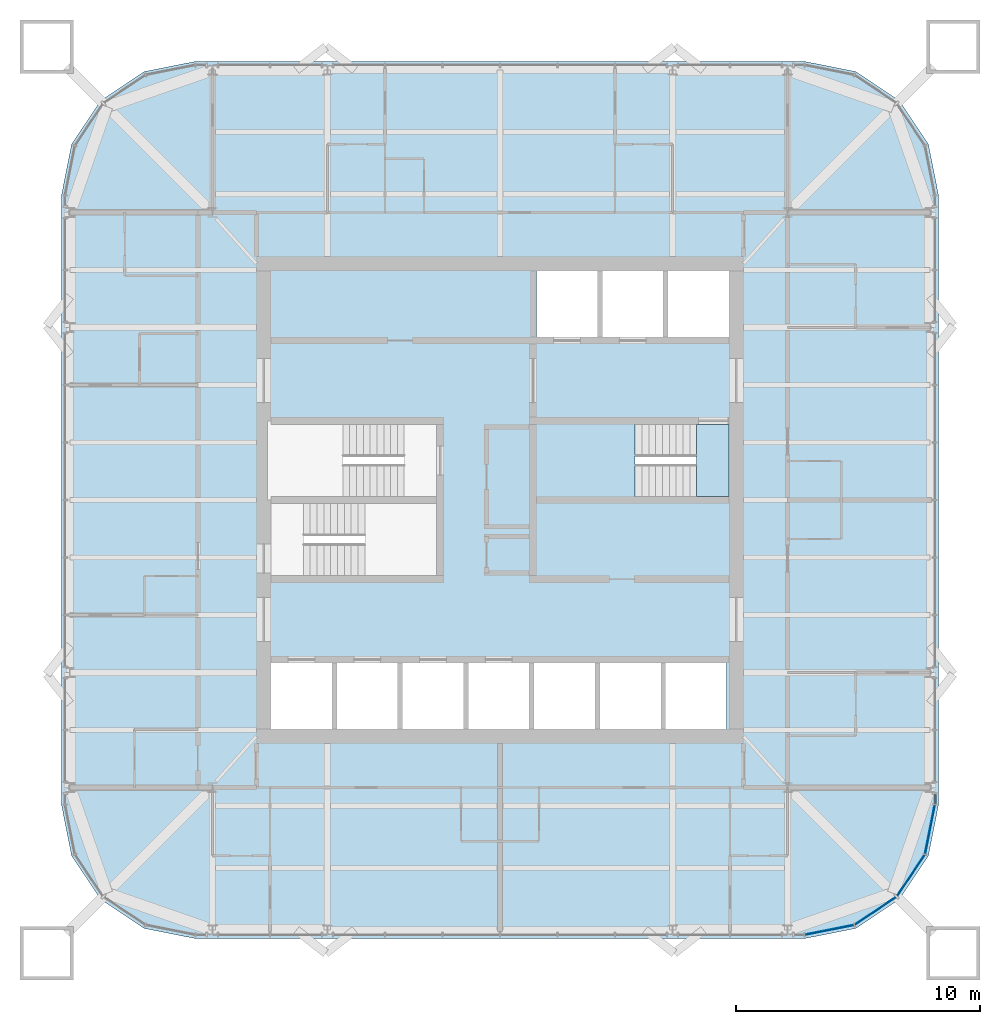
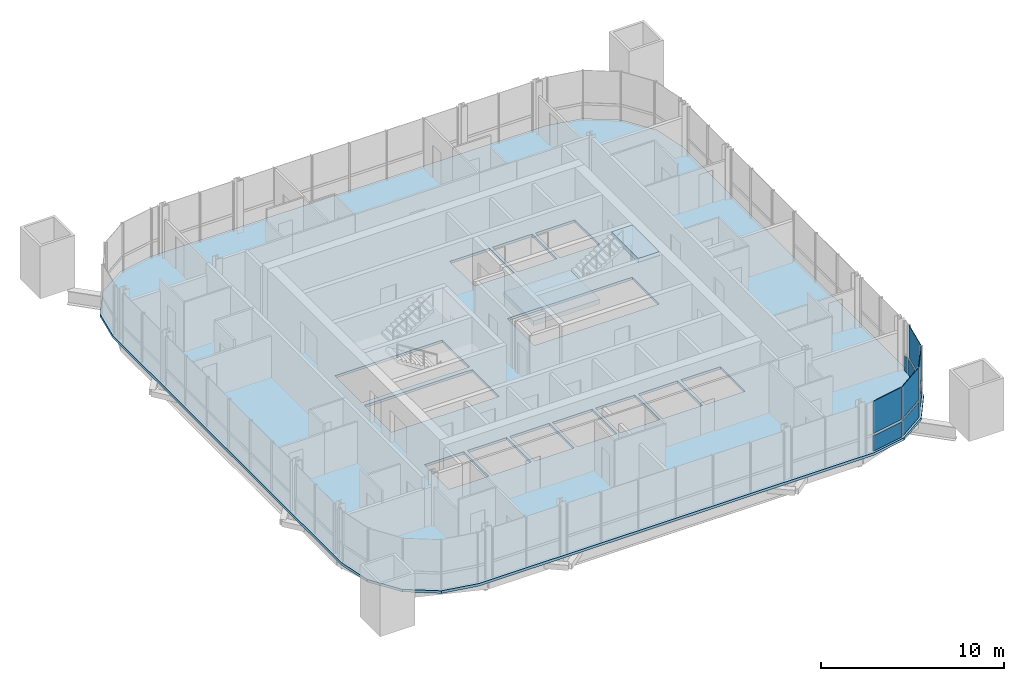
# One storey, part 10 of 17: 9 plates, 3 slabs, 3 elements without a shape of their own.
"""IFC4 building model written with IfcOpenShell, lengths in metres."""

from ifc_helpers import new_model, si_unit, direction, frame, origin, origin_2d, place, context, subcontext, project, spatial, polyline, rectangle, outline, extrude, material, layer, layer_set, type_object, element, aggregate, save


model = new_model("IFC4")

# Units and contexts
model_context = context("Model", 3, precision=1e-05, world=origin(), true_north=direction((0.0, 1.0)))
body_context = subcontext(model_context, "Body", "Model", "MODEL_VIEW")
ifc_project = project(units=[si_unit("LENGTHUNIT", "METRE"), si_unit("AREAUNIT", "SQUARE_METRE"), si_unit("VOLUMEUNIT", "CUBIC_METRE"), si_unit("PLANEANGLEUNIT", "RADIAN"), si_unit("MASSUNIT", "GRAM", prefix="KILO")], contexts=[model_context])

# Site, building, storey
site_placement = place(None, origin())
site = spatial("IfcSite", under=ifc_project, at=site_placement, CompositionType="ELEMENT")
building_placement = place(site_placement, origin())
building = spatial("IfcBuilding", under=site, at=building_placement, Name="Turquesa Mirador Hotel Tower", CompositionType="ELEMENT")
storey_placement = place(building_placement, frame((0.0, 0.0, 240.699951171875)))
storey = spatial("IfcBuildingStorey", under=building, at=storey_placement, Name="L65", CompositionType="ELEMENT", Elevation=240.699951171875)

# Slab
ifc_material_1 = material(Name="Concrete C28/35", Category="concrete")
ifc_layer_1 = layer(ifc_material_1, 0.169921875)
ifc_layer_set_1 = layer_set([ifc_layer_1], Name="COMPOSITE FLOOR SLAB 170")
slab_type_1 = type_object("IfcSlabType", Name="COMPOSITE FLOOR SLAB 170", PredefinedType="FLOOR", material=ifc_layer_set_1)
slab_1_placement = place(storey_placement, frame((0.0, 0.0, -0.169921875)))
element("IfcSlab", 1, at=slab_1_placement, inside=storey, type_object=slab_type_1, Name="Floor slab L65", PredefinedType="FLOOR", context=body_context, shape_type="SweptSolid", body=[
    extrude(outline(polyline([(67.5, 27.0), (69.604736328125, 27.418701171875), (71.38916015625, 28.61083984375), (72.581298828125, 30.395263671875), (73.0, 32.5), (73.0, 57.5), (72.581298828125, 59.604736328125), (71.38916015625, 61.38916015625), (69.604736328125, 62.581298828125), (67.5, 63.0), (42.5, 63.0), (40.395263671875, 62.581298828125), (38.61083984375, 61.38916015625), (37.418701171875, 59.604736328125), (37.0, 57.5), (37.0, 32.5), (37.418701171875, 30.395263671875), (38.61083984375, 28.61083984375), (40.395263671875, 27.418701171875), (42.5, 27.0), (67.5, 27.0)]), holes=[polyline([(56.5, 51.699951171875), (59.0, 51.699951171875), (59.0, 54.39990234375), (56.5, 54.39990234375), (56.5, 51.699951171875)]), polyline([(59.199951171875, 51.699951171875), (61.699951171875, 51.699951171875), (61.699951171875, 54.39990234375), (59.199951171875, 54.39990234375), (59.199951171875, 51.699951171875)]), polyline([(45.60009765625, 35.60009765625), (48.10009765625, 35.60009765625), (48.10009765625, 38.300048828125), (45.60009765625, 38.300048828125), (45.60009765625, 35.60009765625)]), polyline([(48.300048828125, 35.60009765625), (50.800048828125, 35.60009765625), (50.800048828125, 38.300048828125), (48.300048828125, 38.300048828125), (48.300048828125, 35.60009765625)]), polyline([(51.0, 35.60009765625), (53.5, 35.60009765625), (53.5, 38.300048828125), (51.0, 38.300048828125), (51.0, 35.60009765625)]), polyline([(53.699951171875, 35.60009765625), (56.199951171875, 35.60009765625), (56.199951171875, 38.300048828125), (53.699951171875, 38.300048828125), (53.699951171875, 35.60009765625)]), polyline([(56.39990234375, 35.60009765625), (58.89990234375, 35.60009765625), (58.89990234375, 38.300048828125), (56.39990234375, 38.300048828125), (56.39990234375, 35.60009765625)]), polyline([(59.10009765625, 35.60009765625), (61.60009765625, 35.60009765625), (61.60009765625, 38.300048828125), (59.10009765625, 38.300048828125), (59.10009765625, 35.60009765625)]), polyline([(61.800048828125, 35.60009765625), (64.300048828125, 35.60009765625), (64.300048828125, 38.300048828125), (61.800048828125, 38.300048828125), (61.800048828125, 35.60009765625)]), polyline([(45.60009765625, 45.14990234375), (52.39990234375, 45.14990234375), (52.39990234375, 48.10009765625), (45.60009765625, 48.10009765625), (45.60009765625, 45.14990234375)]), polyline([(45.60009765625, 41.89990234375), (52.39990234375, 41.89990234375), (52.39990234375, 44.85009765625), (45.60009765625, 44.85009765625), (45.60009765625, 41.89990234375)]), polyline([(56.5, 45.14990234375), (64.39990234375, 45.14990234375), (64.39990234375, 48.10009765625), (56.5, 48.10009765625), (56.5, 45.14990234375)]), polyline([(61.89990234375, 51.699951171875), (64.39990234375, 51.699951171875), (64.39990234375, 54.39990234375), (61.89990234375, 54.39990234375), (61.89990234375, 51.699951171875)])]), origin(), (0.0, 0.0, 1.0), 0.169921875),
])

# Curtain wall, plates
ifc_material_2 = material(Name="Aluminium extrusion", Category="aluminium")
curtain_wall_type = type_object("IfcCurtainWallType", Name="CW-4 SUITE FRITTED CURTAIN WALL", PredefinedType="USERDEFINED", material=ifc_material_2)
curtain_wall_1_placement = place(storey_placement, origin())
curtain_wall_1 = element("IfcCurtainWall", 2, at=curtain_wall_1_placement, inside=storey, type_object=curtain_wall_type, Name="CW-4 SUITE FRITTED CURTAIN WALL L65", ObjectType="CURTAIN WALL", PredefinedType="USERDEFINED")
ifc_material_3 = material(Name="Ceramic-printed spandrel glass on an insulated back pan", Category="glass")
ifc_layer_2 = layer(ifc_material_3, 0.050048828125)
ifc_layer_set_2 = layer_set([ifc_layer_2], Name="CW PANEL SPANDREL CERAMIC")
plate_type_1 = type_object("IfcPlateType", Name="CW PANEL SPANDREL CERAMIC", PredefinedType="CURTAIN_PANEL", material=ifc_layer_set_2)
plate_1_placement = place(storey_placement, frame((68.523681640625, 27.353515625, 0.0), z_axis=(0.0, 0.0, 1.0), x_axis=(0.980785228048, 0.195090585221, 0.0)))
plate_1 = element("IfcPlate", 3, at=plate_1_placement, type_object=plate_type_1, Name="Panel", PredefinedType="CURTAIN_PANEL", context=body_context, shape_type="SweptSolid", body=[
    extrude(rectangle(XDim=2.0224609375, YDim=0.050048828125, at=origin_2d()), origin(), (0.0, 0.0, 1.0), 1.02490234375),
])
plate_2_placement = place(storey_placement, frame((70.415283203125, 28.13720703125, 0.0), z_axis=(0.0, 0.0, 1.0), x_axis=(0.831469673284, 0.555570141754, 0.0)))
plate_2 = element("IfcPlate", 4, at=plate_2_placement, type_object=plate_type_1, Name="Panel", PredefinedType="CURTAIN_PANEL", context=body_context, shape_type="SweptSolid", body=[
    extrude(rectangle(XDim=2.0224609375, YDim=0.050048828125, at=origin_2d()), origin(), (0.0, 0.0, 1.0), 1.02490234375),
])
plate_3_placement = place(storey_placement, frame((71.86279296875, 29.584716796875, 0.0), z_axis=(0.0, 0.0, 1.0), x_axis=(0.555570141754, 0.831469673284, 0.0)))
plate_3 = element("IfcPlate", 5, at=plate_3_placement, type_object=plate_type_1, Name="Panel", PredefinedType="CURTAIN_PANEL", context=body_context, shape_type="SweptSolid", body=[
    extrude(rectangle(XDim=2.0224609375, YDim=0.050048828125, at=origin_2d()), origin(), (0.0, 0.0, 1.0), 1.02490234375),
])
plate_4_placement = place(storey_placement, frame((72.646484375, 31.476318359375, 0.0), z_axis=(0.0, 0.0, 1.0), x_axis=(0.195090585221, 0.980785228048, 0.0)))
plate_4 = element("IfcPlate", 6, at=plate_4_placement, type_object=plate_type_1, Name="Panel", PredefinedType="CURTAIN_PANEL", context=body_context, shape_type="SweptSolid", body=[
    extrude(rectangle(XDim=2.0224609375, YDim=0.050048828125, at=origin_2d()), origin(), (0.0, 0.0, 1.0), 1.02490234375),
])

# Curtain wall, plate
curtain_wall_2_placement = place(storey_placement, origin())
curtain_wall_2 = element("IfcCurtainWall", 7, at=curtain_wall_2_placement, inside=storey, type_object=curtain_wall_type, Name="CW-4 SUITE FRITTED CURTAIN WALL L65", ObjectType="CURTAIN WALL", PredefinedType="USERDEFINED")
plate_5_placement = place(storey_placement, frame((72.85009765625, 32.733154296875, 0.0), z_axis=(0.0, 0.0, 1.0), x_axis=(0.0, 1.0, 0.0)))
plate_5 = element("IfcPlate", 8, at=plate_5_placement, type_object=plate_type_1, Name="Panel", PredefinedType="CURTAIN_PANEL", context=body_context, shape_type="SweptSolid", body=[
    extrude(rectangle(XDim=0.401123046875, YDim=0.050048828125, at=origin_2d()), origin(), (0.0, 0.0, 1.0), 1.02490234375),
])
aggregate(curtain_wall_2, [plate_5])

# Plate
ifc_material_4 = material(Name="Ceramic-fritted laminated glass", Category="glass")
ifc_layer_3 = layer(ifc_material_4, 0.031982421875)
ifc_layer_set_3 = layer_set([ifc_layer_3], Name="CW PANEL VISION FRITTED")
plate_type_2 = type_object("IfcPlateType", Name="CW PANEL VISION FRITTED", PredefinedType="CURTAIN_PANEL", material=ifc_layer_set_3)
plate_6_placement = place(storey_placement, frame((68.523681640625, 27.353515625, 1.1748046875), z_axis=(0.0, 0.0, 1.0), x_axis=(0.980785228048, 0.195090585221, 0.0)))
plate_6 = element("IfcPlate", 9, at=plate_6_placement, type_object=plate_type_2, Name="Panel", PredefinedType="CURTAIN_PANEL", context=body_context, shape_type="SweptSolid", body=[
    extrude(rectangle(XDim=2.0224609375, YDim=0.031982421875, at=origin_2d()), origin(), (0.0, 0.0, 1.0), 2.155029296875),
])

plate_7_placement = place(storey_placement, frame((70.415283203125, 28.13720703125, 1.1748046875), z_axis=(0.0, 0.0, 1.0), x_axis=(0.831469673284, 0.555570141754, 0.0)))
plate_7 = element("IfcPlate", 10, at=plate_7_placement, type_object=plate_type_2, Name="Panel", PredefinedType="CURTAIN_PANEL", context=body_context, shape_type="SweptSolid", body=[
    extrude(rectangle(XDim=2.0224609375, YDim=0.031982421875, at=origin_2d()), origin(), (0.0, 0.0, 1.0), 2.155029296875),
])

plate_8_placement = place(storey_placement, frame((71.86279296875, 29.584716796875, 1.1748046875), z_axis=(0.0, 0.0, 1.0), x_axis=(0.555570141754, 0.831469673284, 0.0)))
plate_8 = element("IfcPlate", 11, at=plate_8_placement, type_object=plate_type_2, Name="Panel", PredefinedType="CURTAIN_PANEL", context=body_context, shape_type="SweptSolid", body=[
    extrude(rectangle(XDim=2.0224609375, YDim=0.031982421875, at=origin_2d()), origin(), (0.0, 0.0, 1.0), 2.155029296875),
])

plate_9_placement = place(storey_placement, frame((72.646484375, 31.476318359375, 1.1748046875), z_axis=(0.0, 0.0, 1.0), x_axis=(0.195090585221, 0.980785228048, 0.0)))
plate_9 = element("IfcPlate", 12, at=plate_9_placement, type_object=plate_type_2, Name="Panel", PredefinedType="CURTAIN_PANEL", context=body_context, shape_type="SweptSolid", body=[
    extrude(rectangle(XDim=2.0224609375, YDim=0.031982421875, at=origin_2d()), origin(), (0.0, 0.0, 1.0), 2.155029296875),
])

aggregate(curtain_wall_1, [plate_1, plate_6, plate_2, plate_7, plate_3, plate_8, plate_4, plate_9])

# Stair, slabs
ifc_material_5 = material(Name="Concrete C35/45", Category="concrete")
stair_type = type_object("IfcStairType", Name="ESCAPE STAIR CORE", PredefinedType="HALF_TURN_STAIR", material=ifc_material_5)
stair_placement = place(storey_placement, origin())
stair = element("IfcStair", 13, at=stair_placement, inside=storey, type_object=stair_type, Name="Stair ST3 L65 to L66", PredefinedType="HALF_TURN_STAIR")
ifc_material_6 = material(Name="Concrete C35/45", Category="concrete")
ifc_layer_4 = layer(ifc_material_6, 0.300048828125)
ifc_layer_set_4 = layer_set([ifc_layer_4], Name="STAIR LANDING 300")
slab_type_2 = type_object("IfcSlabType", Name="STAIR LANDING 300", PredefinedType="LANDING", material=ifc_layer_set_4)
slab_2_placement = place(storey_placement, frame((0.0, 0.0, 1.449951171875)))
slab_2 = element("IfcSlab", 14, at=slab_2_placement, type_object=slab_type_2, Name="ST3 landing 1", PredefinedType="LANDING", context=body_context, shape_type="SweptSolid", body=[
    extrude(outline(polyline([(56.35009765625, 45.0), (60.550048828125, 45.0), (60.550048828125, 48.25), (56.35009765625, 48.25), (56.35009765625, 45.0)])), origin(), (0.0, 0.0, 1.0), 0.300048828125),
])
slab_3_placement = place(storey_placement, frame((0.0, 0.0, 3.199951171875)))
slab_3 = element("IfcSlab", 15, at=slab_3_placement, type_object=slab_type_2, Name="ST3 landing 2", PredefinedType="LANDING", context=body_context, shape_type="SweptSolid", body=[
    extrude(outline(polyline([(63.070068359375, 45.14990234375), (64.39990234375, 45.14990234375), (64.39990234375, 48.10009765625), (63.070068359375, 48.10009765625), (63.070068359375, 45.14990234375)])), origin(), (0.0, 0.0, 1.0), 0.300048828125),
])
aggregate(stair, [slab_2, slab_3])

save(model, "model.ifc")
